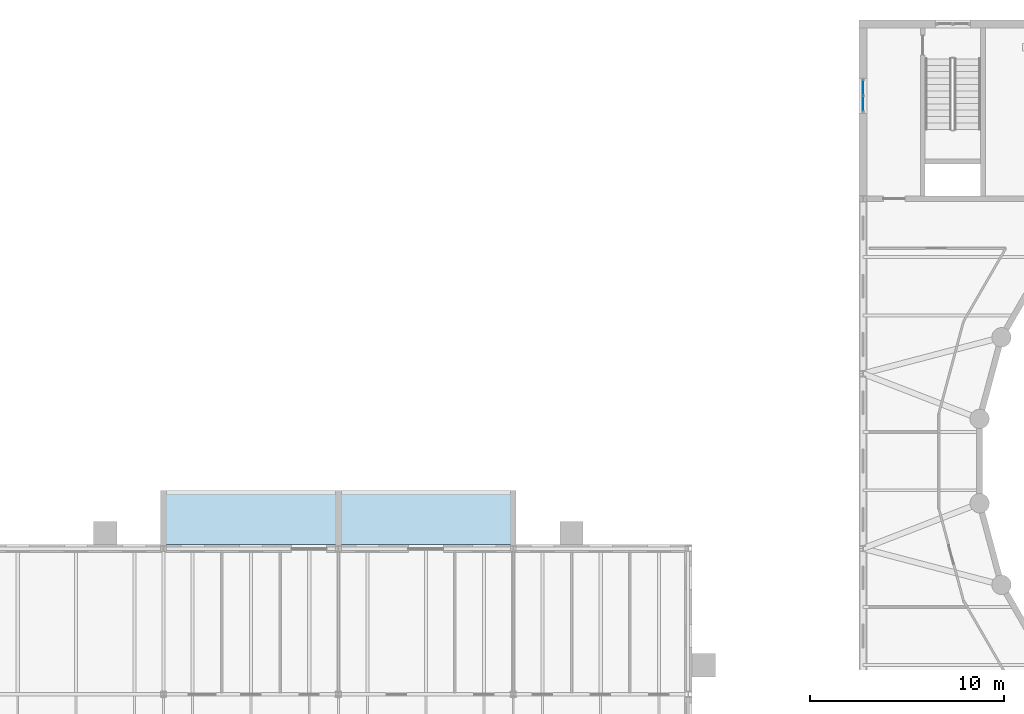
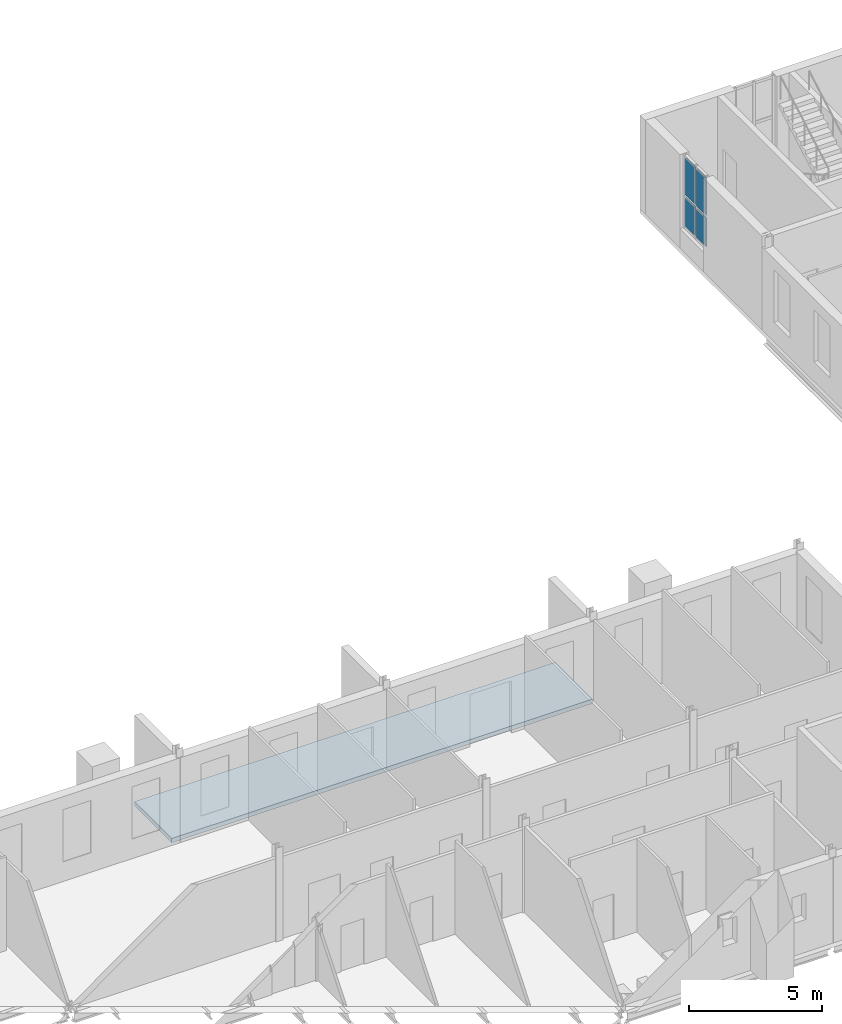
# One storey, part 63 of 134: 4 plates, 1 slab, 1 element without a shape of its own.
"""IFC4 building model written with IfcOpenShell, lengths in metres."""

from ifc_helpers import new_model, si_unit, direction, frame, origin, origin_2d, place, context, subcontext, project, spatial, polyline, rectangle, outline, extrude, material, layer, layer_set, type_object, element, aggregate, save


model = new_model("IFC4")

# Units and contexts
model_context = context("Model", 3, precision=1e-05, world=origin(), true_north=direction((0.0, 1.0)))
body_context = subcontext(model_context, "Body", "Model", "MODEL_VIEW")
ifc_project = project(units=[si_unit("LENGTHUNIT", "METRE"), si_unit("AREAUNIT", "SQUARE_METRE"), si_unit("VOLUMEUNIT", "CUBIC_METRE"), si_unit("PLANEANGLEUNIT", "RADIAN"), si_unit("MASSUNIT", "GRAM", prefix="KILO")], contexts=[model_context])

# Site, building, storey
site_placement = place(None, origin())
site = spatial("IfcSite", under=ifc_project, at=site_placement, CompositionType="ELEMENT")
building_placement = place(site_placement, origin())
building = spatial("IfcBuilding", under=site, at=building_placement, Name="Golden Quay Civic Hall", CompositionType="ELEMENT")
storey_placement = place(building_placement, frame((0.0, 0.0, 5.39990234375)))
storey = spatial("IfcBuildingStorey", under=building, at=storey_placement, Name="L01", CompositionType="ELEMENT", Elevation=5.39990234375)

# Curtain wall, plates
ifc_material_1 = material(Name="Fire-resisting glass and steel", Category="steel")
curtain_wall_type = type_object("IfcCurtainWallType", Name="Fire-resisting glazed stair curtain wall EI 120", PredefinedType="NOTDEFINED", material=ifc_material_1)
curtain_wall_placement = place(storey_placement, origin())
curtain_wall = element("IfcCurtainWall", 1, at=curtain_wall_placement, inside=storey, type_object=curtain_wall_type, Name="CW4 stair curtain wall", PredefinedType="NOTDEFINED")
ifc_material_2 = material(Name="Fire-resisting laminated glass", Category="glass")
ifc_layer_1 = layer(ifc_material_2, 0.0400390625)
ifc_layer_set_1 = layer_set([ifc_layer_1], Name="Fire-resisting glazed stair panel 40")
plate_type = type_object("IfcPlateType", Name="Fire-resisting glazed stair panel 40", PredefinedType="CURTAIN_PANEL", material=ifc_layer_set_1)
plate_1_placement = place(storey_placement, frame((63.0, 103.8798828125, 1.02001953125), z_axis=(0.0, 0.0, 1.0), x_axis=(0.0, 1.0, 0.0)))
plate_1 = element("IfcPlate", 2, at=plate_1_placement, type_object=plate_type, Name="CW4 panel 1.1", PredefinedType="CURTAIN_PANEL", context=body_context, shape_type="SweptSolid", body=[
    extrude(rectangle(XDim=0.719970703125, YDim=0.0400390625, at=origin_2d()), origin(), (0.0, 0.0, 1.0), 1.320068359375),
])
plate_2_placement = place(storey_placement, frame((63.0, 103.8798828125, 2.4599609375), z_axis=(0.0, 0.0, 1.0), x_axis=(0.0, 1.0, 0.0)))
plate_2 = element("IfcPlate", 3, at=plate_2_placement, type_object=plate_type, Name="CW4 panel 1.2", PredefinedType="CURTAIN_PANEL", context=body_context, shape_type="SweptSolid", body=[
    extrude(rectangle(XDim=0.719970703125, YDim=0.0400390625, at=origin_2d()), origin(), (0.0, 0.0, 1.0), 1.719970703125),
])
plate_3_placement = place(storey_placement, frame((63.0, 104.719970703125, 1.02001953125), z_axis=(0.0, 0.0, 1.0), x_axis=(0.0, 1.0, 0.0)))
plate_3 = element("IfcPlate", 4, at=plate_3_placement, type_object=plate_type, Name="CW4 panel 2.1", PredefinedType="CURTAIN_PANEL", context=body_context, shape_type="SweptSolid", body=[
    extrude(rectangle(XDim=0.719970703125, YDim=0.0400390625, at=origin_2d()), origin(), (0.0, 0.0, 1.0), 1.320068359375),
])
plate_4_placement = place(storey_placement, frame((63.0, 104.719970703125, 2.4599609375), z_axis=(0.0, 0.0, 1.0), x_axis=(0.0, 1.0, 0.0)))
plate_4 = element("IfcPlate", 5, at=plate_4_placement, type_object=plate_type, Name="CW4 panel 2.2", PredefinedType="CURTAIN_PANEL", context=body_context, shape_type="SweptSolid", body=[
    extrude(rectangle(XDim=0.719970703125, YDim=0.0400390625, at=origin_2d()), origin(), (0.0, 0.0, 1.0), 1.719970703125),
])
aggregate(curtain_wall, [plate_1, plate_2, plate_3, plate_4])

# Slab
ifc_material_3 = material(Name="Concrete C35/45", Category="concrete")
ifc_layer_2 = layer(ifc_material_3, 0.199951171875)
ifc_layer_set_2 = layer_set([ifc_layer_2], Name="Loggia deck 200")
slab_type = type_object("IfcSlabType", Name="Loggia deck 200", PredefinedType="FLOOR", material=ifc_layer_set_2)
slab_placement = place(storey_placement, frame((0.0, 0.0, -0.199951171875)))
element("IfcSlab", 6, at=slab_placement, inside=storey, type_object=slab_type, Name="Loggia deck 200 L01 3", PredefinedType="FLOOR", context=body_context, shape_type="SweptSolid", body=[
    extrude(outline(polyline([(26.85009765625, 81.199951171875), (45.14990234375, 81.199951171875), (45.14990234375, 84.0), (26.85009765625, 84.0), (26.85009765625, 81.199951171875)])), origin(), (0.0, 0.0, 1.0), 0.199951171875),
])

save(model, "model.ifc")
